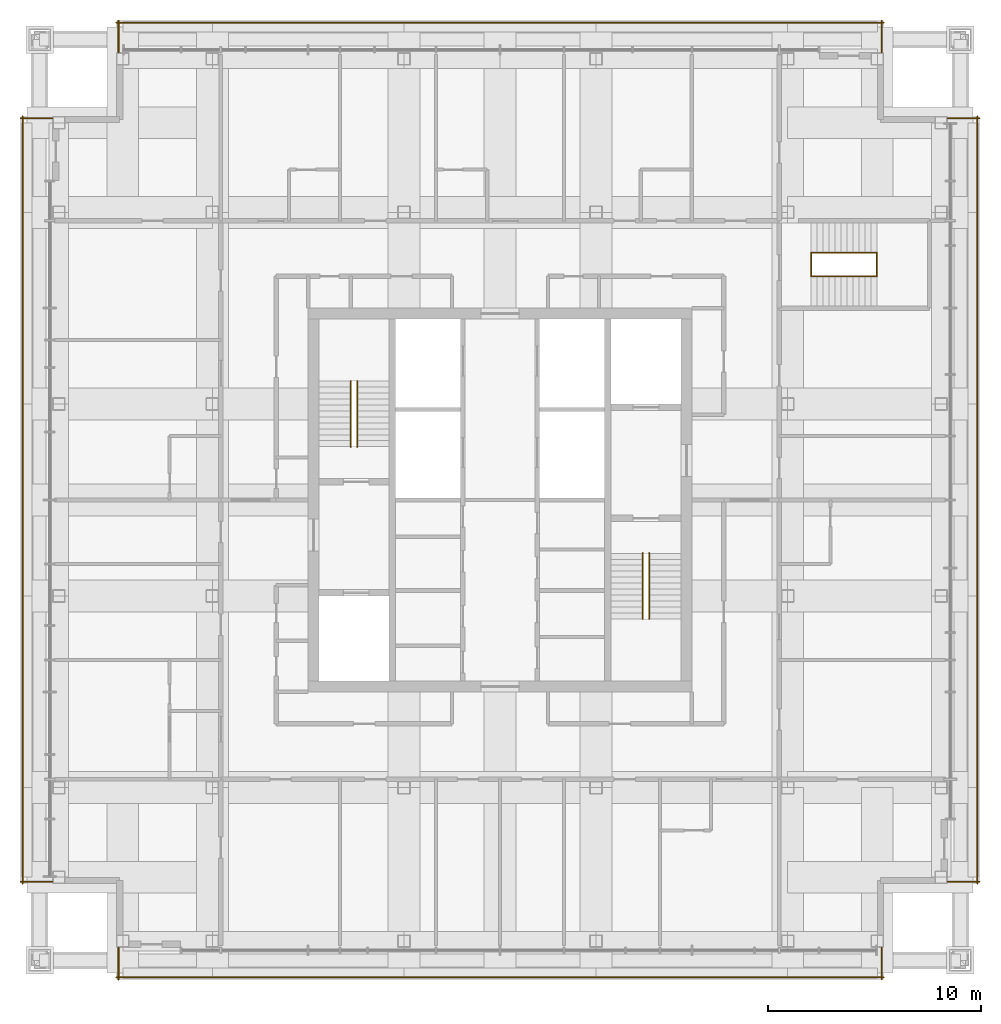
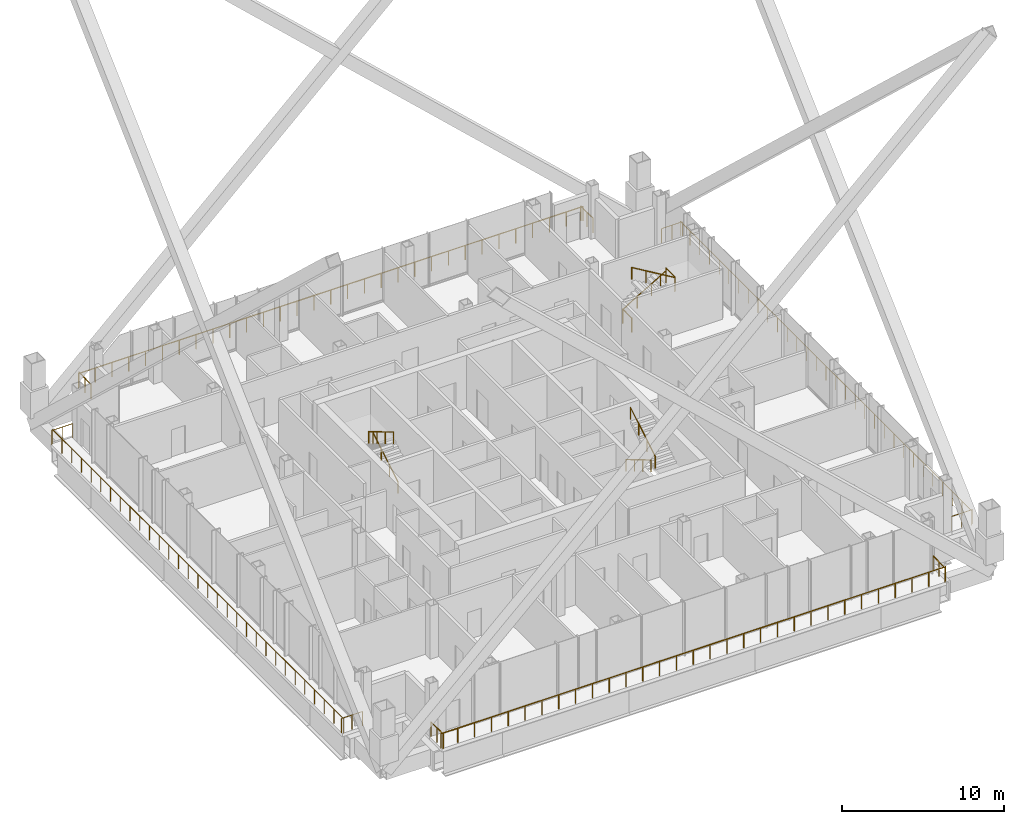
# One storey, part 17 of 19: 20 railings.
"""IFC4 building model written with IfcOpenShell, lengths in metres."""

from ifc_helpers import new_model, si_unit, direction, frame, origin, origin_2d, place, context, subcontext, project, spatial, circle, extrude, material, type_object, element, save


model = new_model("IFC4")

# Units and contexts
model_context = context("Model", 3, precision=1e-05, world=origin(), true_north=direction((0.0, 1.0)))
body_context = subcontext(model_context, "Body", "Model", "MODEL_VIEW")
ifc_project = project(units=[si_unit("LENGTHUNIT", "METRE"), si_unit("AREAUNIT", "SQUARE_METRE"), si_unit("VOLUMEUNIT", "CUBIC_METRE"), si_unit("PLANEANGLEUNIT", "RADIAN"), si_unit("MASSUNIT", "GRAM", prefix="KILO")], contexts=[model_context])

# Site, building, storey
site_placement = place(None, origin())
site = spatial("IfcSite", under=ifc_project, at=site_placement, CompositionType="ELEMENT")
building_placement = place(site_placement, origin())
building = spatial("IfcBuilding", under=site, at=building_placement, Name="Malebo Sky Hospital", CompositionType="ELEMENT")
storey_placement = place(building_placement, frame((0.0, 0.0, 250.0)))
storey = spatial("IfcBuildingStorey", under=building, at=storey_placement, Name="L60", CompositionType="ELEMENT", Elevation=250.0)

# Railings
ifc_material_1 = material(Name="Anodised aluminium, natural silver posts with stainless steel infill", Category="steel")
railing_type_1 = type_object("IfcRailingType", Name="ROOF EDGE GUARD 1100", PredefinedType="GUARDRAIL", material=ifc_material_1)
railing_1_placement = place(storey_placement, frame((42.10009765625, 41.0, 0.0)))
element("IfcRailing", 1, at=railing_1_placement, inside=storey, type_object=railing_type_1, Name="Maintenance roof edge guard 1 L60", PredefinedType="GUARDRAIL", context=body_context, shape_type="SweptSolid", body=[
    extrude(circle(Radius=0.02392578125, at=origin_2d()), frame((0.0, 0.0, 1.076171875), z_axis=(0.0, -1.0, 0.0), x_axis=(1.0, 0.0, 0.0)), (0.0, 0.0, 1.0), 1.5),
    extrude(circle(Radius=0.02099609375, at=origin_2d()), origin(), (0.0, 0.0, 1.0), 1.052001953125),
    extrude(circle(Radius=0.02099609375, at=origin_2d()), frame((0.0, -0.75, 0.0)), (0.0, 0.0, 1.0), 1.052001953125),
    extrude(circle(Radius=0.02099609375, at=origin_2d()), frame((0.0, -1.5, 0.0)), (0.0, 0.0, 1.0), 1.052001953125),
])
railing_2_placement = place(storey_placement, frame((42.0, 39.60009765625, 0.0)))
element("IfcRailing", 2, at=railing_2_placement, inside=storey, type_object=railing_type_1, Name="Maintenance roof edge guard 2 L60", PredefinedType="GUARDRAIL", context=body_context, shape_type="SweptSolid", body=[
    extrude(circle(Radius=0.02392578125, at=origin_2d()), frame((0.0, 0.0, 1.076171875), z_axis=(1.0, 0.0, 0.0), x_axis=(0.0, 1.0, 0.0)), (0.0, 0.0, 1.0), 36.0),
    extrude(circle(Radius=0.02099609375, at=origin_2d()), origin(), (0.0, 0.0, 1.0), 1.052001953125),
    extrude(circle(Radius=0.02099609375, at=origin_2d()), frame((1.199951171875, 0.0, 0.0)), (0.0, 0.0, 1.0), 1.052001953125),
    extrude(circle(Radius=0.02099609375, at=origin_2d()), frame((2.39990234375, 0.0, 0.0)), (0.0, 0.0, 1.0), 1.052001953125),
    extrude(circle(Radius=0.02099609375, at=origin_2d()), frame((3.60009765625, 0.0, 0.0)), (0.0, 0.0, 1.0), 1.052001953125),
    extrude(circle(Radius=0.02099609375, at=origin_2d()), frame((4.800048828125, 0.0, 0.0)), (0.0, 0.0, 1.0), 1.052001953125),
    extrude(circle(Radius=0.02099609375, at=origin_2d()), frame((6.0, 0.0, 0.0)), (0.0, 0.0, 1.0), 1.052001953125),
    extrude(circle(Radius=0.02099609375, at=origin_2d()), frame((7.199951171875, 0.0, 0.0)), (0.0, 0.0, 1.0), 1.052001953125),
    extrude(circle(Radius=0.02099609375, at=origin_2d()), frame((8.39990234375, 0.0, 0.0)), (0.0, 0.0, 1.0), 1.052001953125),
    extrude(circle(Radius=0.02099609375, at=origin_2d()), frame((9.60009765625, 0.0, 0.0)), (0.0, 0.0, 1.0), 1.052001953125),
    extrude(circle(Radius=0.02099609375, at=origin_2d()), frame((10.800048828125, 0.0, 0.0)), (0.0, 0.0, 1.0), 1.052001953125),
    extrude(circle(Radius=0.02099609375, at=origin_2d()), frame((12.0, 0.0, 0.0)), (0.0, 0.0, 1.0), 1.052001953125),
    extrude(circle(Radius=0.02099609375, at=origin_2d()), frame((13.199951171875, 0.0, 0.0)), (0.0, 0.0, 1.0), 1.052001953125),
    extrude(circle(Radius=0.02099609375, at=origin_2d()), frame((14.39990234375, 0.0, 0.0)), (0.0, 0.0, 1.0), 1.052001953125),
    extrude(circle(Radius=0.02099609375, at=origin_2d()), frame((15.60009765625, 0.0, 0.0)), (0.0, 0.0, 1.0), 1.052001953125),
    extrude(circle(Radius=0.02099609375, at=origin_2d()), frame((16.800048828125, 0.0, 0.0)), (0.0, 0.0, 1.0), 1.052001953125),
    extrude(circle(Radius=0.02099609375, at=origin_2d()), frame((18.0, 0.0, 0.0)), (0.0, 0.0, 1.0), 1.052001953125),
    extrude(circle(Radius=0.02099609375, at=origin_2d()), frame((19.199951171875, 0.0, 0.0)), (0.0, 0.0, 1.0), 1.052001953125),
    extrude(circle(Radius=0.02099609375, at=origin_2d()), frame((20.39990234375, 0.0, 0.0)), (0.0, 0.0, 1.0), 1.052001953125),
    extrude(circle(Radius=0.02099609375, at=origin_2d()), frame((21.60009765625, 0.0, 0.0)), (0.0, 0.0, 1.0), 1.052001953125),
    extrude(circle(Radius=0.02099609375, at=origin_2d()), frame((22.800048828125, 0.0, 0.0)), (0.0, 0.0, 1.0), 1.052001953125),
    extrude(circle(Radius=0.02099609375, at=origin_2d()), frame((24.0, 0.0, 0.0)), (0.0, 0.0, 1.0), 1.052001953125),
    extrude(circle(Radius=0.02099609375, at=origin_2d()), frame((25.199951171875, 0.0, 0.0)), (0.0, 0.0, 1.0), 1.052001953125),
    extrude(circle(Radius=0.02099609375, at=origin_2d()), frame((26.39990234375, 0.0, 0.0)), (0.0, 0.0, 1.0), 1.052001953125),
    extrude(circle(Radius=0.02099609375, at=origin_2d()), frame((27.60009765625, 0.0, 0.0)), (0.0, 0.0, 1.0), 1.052001953125),
    extrude(circle(Radius=0.02099609375, at=origin_2d()), frame((28.800048828125, 0.0, 0.0)), (0.0, 0.0, 1.0), 1.052001953125),
    extrude(circle(Radius=0.02099609375, at=origin_2d()), frame((30.0, 0.0, 0.0)), (0.0, 0.0, 1.0), 1.052001953125),
    extrude(circle(Radius=0.02099609375, at=origin_2d()), frame((31.199951171875, 0.0, 0.0)), (0.0, 0.0, 1.0), 1.052001953125),
    extrude(circle(Radius=0.02099609375, at=origin_2d()), frame((32.39990234375, 0.0, 0.0)), (0.0, 0.0, 1.0), 1.052001953125),
    extrude(circle(Radius=0.02099609375, at=origin_2d()), frame((33.60009765625, 0.0, 0.0)), (0.0, 0.0, 1.0), 1.052001953125),
    extrude(circle(Radius=0.02099609375, at=origin_2d()), frame((34.800048828125, 0.0, 0.0)), (0.0, 0.0, 1.0), 1.052001953125),
    extrude(circle(Radius=0.02099609375, at=origin_2d()), frame((36.0, 0.0, 0.0)), (0.0, 0.0, 1.0), 1.052001953125),
])
railing_3_placement = place(storey_placement, frame((77.89990234375, 39.5, 0.0)))
element("IfcRailing", 3, at=railing_3_placement, inside=storey, type_object=railing_type_1, Name="Maintenance roof edge guard 3 L60", PredefinedType="GUARDRAIL", context=body_context, shape_type="SweptSolid", body=[
    extrude(circle(Radius=0.02392578125, at=origin_2d()), frame((0.0, 0.0, 1.076171875), z_axis=(0.0, 1.0, 0.0), x_axis=(-1.0, 0.0, 0.0)), (0.0, 0.0, 1.0), 1.5),
    extrude(circle(Radius=0.02099609375, at=origin_2d()), origin(), (0.0, 0.0, 1.0), 1.052001953125),
    extrude(circle(Radius=0.02099609375, at=origin_2d()), frame((0.0, 0.75, 0.0)), (0.0, 0.0, 1.0), 1.052001953125),
    extrude(circle(Radius=0.02099609375, at=origin_2d()), frame((0.0, 1.5, 0.0)), (0.0, 0.0, 1.0), 1.052001953125),
])
railing_4_placement = place(storey_placement, frame((39.0, 79.89990234375, 0.0)))
element("IfcRailing", 4, at=railing_4_placement, inside=storey, type_object=railing_type_1, Name="Maintenance roof edge guard 4 L60", PredefinedType="GUARDRAIL", context=body_context, shape_type="SweptSolid", body=[
    extrude(circle(Radius=0.02392578125, at=origin_2d()), frame((0.0, 0.0, 1.076171875), z_axis=(-1.0, 0.0, 0.0), x_axis=(0.0, -1.0, 0.0)), (0.0, 0.0, 1.0), 1.5),
    extrude(circle(Radius=0.02099609375, at=origin_2d()), origin(), (0.0, 0.0, 1.0), 1.052001953125),
    extrude(circle(Radius=0.02099609375, at=origin_2d()), frame((-0.75, 0.0, 0.0)), (0.0, 0.0, 1.0), 1.052001953125),
    extrude(circle(Radius=0.02099609375, at=origin_2d()), frame((-1.5, 0.0, 0.0)), (0.0, 0.0, 1.0), 1.052001953125),
])
railing_5_placement = place(storey_placement, frame((37.60009765625, 80.0, 0.0)))
element("IfcRailing", 5, at=railing_5_placement, inside=storey, type_object=railing_type_1, Name="Maintenance roof edge guard 5 L60", PredefinedType="GUARDRAIL", context=body_context, shape_type="SweptSolid", body=[
    extrude(circle(Radius=0.02392578125, at=origin_2d()), frame((0.0, 0.0, 1.076171875), z_axis=(0.0, -1.0, 0.0), x_axis=(1.0, 0.0, 0.0)), (0.0, 0.0, 1.0), 36.0),
    extrude(circle(Radius=0.02099609375, at=origin_2d()), origin(), (0.0, 0.0, 1.0), 1.052001953125),
    extrude(circle(Radius=0.02099609375, at=origin_2d()), frame((0.0, -1.199951171875, 0.0)), (0.0, 0.0, 1.0), 1.052001953125),
    extrude(circle(Radius=0.02099609375, at=origin_2d()), frame((0.0, -2.39990234375, 0.0)), (0.0, 0.0, 1.0), 1.052001953125),
    extrude(circle(Radius=0.02099609375, at=origin_2d()), frame((0.0, -3.60009765625, 0.0)), (0.0, 0.0, 1.0), 1.052001953125),
    extrude(circle(Radius=0.02099609375, at=origin_2d()), frame((0.0, -4.800048828125, 0.0)), (0.0, 0.0, 1.0), 1.052001953125),
    extrude(circle(Radius=0.02099609375, at=origin_2d()), frame((0.0, -6.0, 0.0)), (0.0, 0.0, 1.0), 1.052001953125),
    extrude(circle(Radius=0.02099609375, at=origin_2d()), frame((0.0, -7.199951171875, 0.0)), (0.0, 0.0, 1.0), 1.052001953125),
    extrude(circle(Radius=0.02099609375, at=origin_2d()), frame((0.0, -8.39990234375, 0.0)), (0.0, 0.0, 1.0), 1.052001953125),
    extrude(circle(Radius=0.02099609375, at=origin_2d()), frame((0.0, -9.60009765625, 0.0)), (0.0, 0.0, 1.0), 1.052001953125),
    extrude(circle(Radius=0.02099609375, at=origin_2d()), frame((0.0, -10.800048828125, 0.0)), (0.0, 0.0, 1.0), 1.052001953125),
    extrude(circle(Radius=0.02099609375, at=origin_2d()), frame((0.0, -12.0, 0.0)), (0.0, 0.0, 1.0), 1.052001953125),
    extrude(circle(Radius=0.02099609375, at=origin_2d()), frame((0.0, -13.199951171875, 0.0)), (0.0, 0.0, 1.0), 1.052001953125),
    extrude(circle(Radius=0.02099609375, at=origin_2d()), frame((0.0, -14.39990234375, 0.0)), (0.0, 0.0, 1.0), 1.052001953125),
    extrude(circle(Radius=0.02099609375, at=origin_2d()), frame((0.0, -15.60009765625, 0.0)), (0.0, 0.0, 1.0), 1.052001953125),
    extrude(circle(Radius=0.02099609375, at=origin_2d()), frame((0.0, -16.800048828125, 0.0)), (0.0, 0.0, 1.0), 1.052001953125),
    extrude(circle(Radius=0.02099609375, at=origin_2d()), frame((0.0, -18.0, 0.0)), (0.0, 0.0, 1.0), 1.052001953125),
    extrude(circle(Radius=0.02099609375, at=origin_2d()), frame((0.0, -19.199951171875, 0.0)), (0.0, 0.0, 1.0), 1.052001953125),
    extrude(circle(Radius=0.02099609375, at=origin_2d()), frame((0.0, -20.39990234375, 0.0)), (0.0, 0.0, 1.0), 1.052001953125),
    extrude(circle(Radius=0.02099609375, at=origin_2d()), frame((0.0, -21.60009765625, 0.0)), (0.0, 0.0, 1.0), 1.052001953125),
    extrude(circle(Radius=0.02099609375, at=origin_2d()), frame((0.0, -22.800048828125, 0.0)), (0.0, 0.0, 1.0), 1.052001953125),
    extrude(circle(Radius=0.02099609375, at=origin_2d()), frame((0.0, -24.0, 0.0)), (0.0, 0.0, 1.0), 1.052001953125),
    extrude(circle(Radius=0.02099609375, at=origin_2d()), frame((0.0, -25.199951171875, 0.0)), (0.0, 0.0, 1.0), 1.052001953125),
    extrude(circle(Radius=0.02099609375, at=origin_2d()), frame((0.0, -26.39990234375, 0.0)), (0.0, 0.0, 1.0), 1.052001953125),
    extrude(circle(Radius=0.02099609375, at=origin_2d()), frame((0.0, -27.60009765625, 0.0)), (0.0, 0.0, 1.0), 1.052001953125),
    extrude(circle(Radius=0.02099609375, at=origin_2d()), frame((0.0, -28.800048828125, 0.0)), (0.0, 0.0, 1.0), 1.052001953125),
    extrude(circle(Radius=0.02099609375, at=origin_2d()), frame((0.0, -30.0, 0.0)), (0.0, 0.0, 1.0), 1.052001953125),
    extrude(circle(Radius=0.02099609375, at=origin_2d()), frame((0.0, -31.199951171875, 0.0)), (0.0, 0.0, 1.0), 1.052001953125),
    extrude(circle(Radius=0.02099609375, at=origin_2d()), frame((0.0, -32.39990234375, 0.0)), (0.0, 0.0, 1.0), 1.052001953125),
    extrude(circle(Radius=0.02099609375, at=origin_2d()), frame((0.0, -33.60009765625, 0.0)), (0.0, 0.0, 1.0), 1.052001953125),
    extrude(circle(Radius=0.02099609375, at=origin_2d()), frame((0.0, -34.800048828125, 0.0)), (0.0, 0.0, 1.0), 1.052001953125),
    extrude(circle(Radius=0.02099609375, at=origin_2d()), frame((0.0, -36.0, 0.0)), (0.0, 0.0, 1.0), 1.052001953125),
])
for number, where, name in (
    (6, (37.5, 44.10009765625, 0.0), "Maintenance roof edge guard 6 L60"),
    (7, (81.0, 44.10009765625, 0.0), "Maintenance roof edge guard 7 L60"),
):
    element("IfcRailing", number, at=place(storey_placement, frame(where)), inside=storey, type_object=railing_type_1, Name=name, PredefinedType="GUARDRAIL", context=body_context, shape_type="SweptSolid", body=[
        extrude(circle(Radius=0.02392578125, at=origin_2d()), frame((0.0, 0.0, 1.076171875), z_axis=(1.0, 0.0, 0.0), x_axis=(0.0, 1.0, 0.0)), (0.0, 0.0, 1.0), 1.5),
        extrude(circle(Radius=0.02099609375, at=origin_2d()), origin(), (0.0, 0.0, 1.0), 1.052001953125),
        extrude(circle(Radius=0.02099609375, at=origin_2d()), frame((0.75, 0.0, 0.0)), (0.0, 0.0, 1.0), 1.052001953125),
        extrude(circle(Radius=0.02099609375, at=origin_2d()), frame((1.5, 0.0, 0.0)), (0.0, 0.0, 1.0), 1.052001953125),
    ])
railing_6_placement = place(storey_placement, frame((82.39990234375, 44.0, 0.0)))
element("IfcRailing", 8, at=railing_6_placement, inside=storey, type_object=railing_type_1, Name="Maintenance roof edge guard 8 L60", PredefinedType="GUARDRAIL", context=body_context, shape_type="SweptSolid", body=[
    extrude(circle(Radius=0.02392578125, at=origin_2d()), frame((0.0, 0.0, 1.076171875), z_axis=(0.0, 1.0, 0.0), x_axis=(-1.0, 0.0, 0.0)), (0.0, 0.0, 1.0), 36.0),
    extrude(circle(Radius=0.02099609375, at=origin_2d()), origin(), (0.0, 0.0, 1.0), 1.052001953125),
    extrude(circle(Radius=0.02099609375, at=origin_2d()), frame((0.0, 1.199951171875, 0.0)), (0.0, 0.0, 1.0), 1.052001953125),
    extrude(circle(Radius=0.02099609375, at=origin_2d()), frame((0.0, 2.39990234375, 0.0)), (0.0, 0.0, 1.0), 1.052001953125),
    extrude(circle(Radius=0.02099609375, at=origin_2d()), frame((0.0, 3.60009765625, 0.0)), (0.0, 0.0, 1.0), 1.052001953125),
    extrude(circle(Radius=0.02099609375, at=origin_2d()), frame((0.0, 4.800048828125, 0.0)), (0.0, 0.0, 1.0), 1.052001953125),
    extrude(circle(Radius=0.02099609375, at=origin_2d()), frame((0.0, 6.0, 0.0)), (0.0, 0.0, 1.0), 1.052001953125),
    extrude(circle(Radius=0.02099609375, at=origin_2d()), frame((0.0, 7.199951171875, 0.0)), (0.0, 0.0, 1.0), 1.052001953125),
    extrude(circle(Radius=0.02099609375, at=origin_2d()), frame((0.0, 8.39990234375, 0.0)), (0.0, 0.0, 1.0), 1.052001953125),
    extrude(circle(Radius=0.02099609375, at=origin_2d()), frame((0.0, 9.60009765625, 0.0)), (0.0, 0.0, 1.0), 1.052001953125),
    extrude(circle(Radius=0.02099609375, at=origin_2d()), frame((0.0, 10.800048828125, 0.0)), (0.0, 0.0, 1.0), 1.052001953125),
    extrude(circle(Radius=0.02099609375, at=origin_2d()), frame((0.0, 12.0, 0.0)), (0.0, 0.0, 1.0), 1.052001953125),
    extrude(circle(Radius=0.02099609375, at=origin_2d()), frame((0.0, 13.199951171875, 0.0)), (0.0, 0.0, 1.0), 1.052001953125),
    extrude(circle(Radius=0.02099609375, at=origin_2d()), frame((0.0, 14.39990234375, 0.0)), (0.0, 0.0, 1.0), 1.052001953125),
    extrude(circle(Radius=0.02099609375, at=origin_2d()), frame((0.0, 15.60009765625, 0.0)), (0.0, 0.0, 1.0), 1.052001953125),
    extrude(circle(Radius=0.02099609375, at=origin_2d()), frame((0.0, 16.800048828125, 0.0)), (0.0, 0.0, 1.0), 1.052001953125),
    extrude(circle(Radius=0.02099609375, at=origin_2d()), frame((0.0, 18.0, 0.0)), (0.0, 0.0, 1.0), 1.052001953125),
    extrude(circle(Radius=0.02099609375, at=origin_2d()), frame((0.0, 19.199951171875, 0.0)), (0.0, 0.0, 1.0), 1.052001953125),
    extrude(circle(Radius=0.02099609375, at=origin_2d()), frame((0.0, 20.39990234375, 0.0)), (0.0, 0.0, 1.0), 1.052001953125),
    extrude(circle(Radius=0.02099609375, at=origin_2d()), frame((0.0, 21.60009765625, 0.0)), (0.0, 0.0, 1.0), 1.052001953125),
    extrude(circle(Radius=0.02099609375, at=origin_2d()), frame((0.0, 22.800048828125, 0.0)), (0.0, 0.0, 1.0), 1.052001953125),
    extrude(circle(Radius=0.02099609375, at=origin_2d()), frame((0.0, 24.0, 0.0)), (0.0, 0.0, 1.0), 1.052001953125),
    extrude(circle(Radius=0.02099609375, at=origin_2d()), frame((0.0, 25.199951171875, 0.0)), (0.0, 0.0, 1.0), 1.052001953125),
    extrude(circle(Radius=0.02099609375, at=origin_2d()), frame((0.0, 26.39990234375, 0.0)), (0.0, 0.0, 1.0), 1.052001953125),
    extrude(circle(Radius=0.02099609375, at=origin_2d()), frame((0.0, 27.60009765625, 0.0)), (0.0, 0.0, 1.0), 1.052001953125),
    extrude(circle(Radius=0.02099609375, at=origin_2d()), frame((0.0, 28.800048828125, 0.0)), (0.0, 0.0, 1.0), 1.052001953125),
    extrude(circle(Radius=0.02099609375, at=origin_2d()), frame((0.0, 30.0, 0.0)), (0.0, 0.0, 1.0), 1.052001953125),
    extrude(circle(Radius=0.02099609375, at=origin_2d()), frame((0.0, 31.199951171875, 0.0)), (0.0, 0.0, 1.0), 1.052001953125),
    extrude(circle(Radius=0.02099609375, at=origin_2d()), frame((0.0, 32.39990234375, 0.0)), (0.0, 0.0, 1.0), 1.052001953125),
    extrude(circle(Radius=0.02099609375, at=origin_2d()), frame((0.0, 33.60009765625, 0.0)), (0.0, 0.0, 1.0), 1.052001953125),
    extrude(circle(Radius=0.02099609375, at=origin_2d()), frame((0.0, 34.800048828125, 0.0)), (0.0, 0.0, 1.0), 1.052001953125),
    extrude(circle(Radius=0.02099609375, at=origin_2d()), frame((0.0, 36.0, 0.0)), (0.0, 0.0, 1.0), 1.052001953125),
])
railing_7_placement = place(storey_placement, frame((82.5, 79.89990234375, 0.0)))
element("IfcRailing", 9, at=railing_7_placement, inside=storey, type_object=railing_type_1, Name="Maintenance roof edge guard 9 L60", PredefinedType="GUARDRAIL", context=body_context, shape_type="SweptSolid", body=[
    extrude(circle(Radius=0.02392578125, at=origin_2d()), frame((0.0, 0.0, 1.076171875), z_axis=(-1.0, 0.0, 0.0), x_axis=(0.0, -1.0, 0.0)), (0.0, 0.0, 1.0), 1.5),
    extrude(circle(Radius=0.02099609375, at=origin_2d()), origin(), (0.0, 0.0, 1.0), 1.052001953125),
    extrude(circle(Radius=0.02099609375, at=origin_2d()), frame((-0.75, 0.0, 0.0)), (0.0, 0.0, 1.0), 1.052001953125),
    extrude(circle(Radius=0.02099609375, at=origin_2d()), frame((-1.5, 0.0, 0.0)), (0.0, 0.0, 1.0), 1.052001953125),
])
railing_8_placement = place(storey_placement, frame((77.89990234375, 83.0, 0.0)))
element("IfcRailing", 10, at=railing_8_placement, inside=storey, type_object=railing_type_1, Name="Maintenance roof edge guard 10 L60", PredefinedType="GUARDRAIL", context=body_context, shape_type="SweptSolid", body=[
    extrude(circle(Radius=0.02392578125, at=origin_2d()), frame((0.0, 0.0, 1.076171875), z_axis=(0.0, 1.0, 0.0), x_axis=(-1.0, 0.0, 0.0)), (0.0, 0.0, 1.0), 1.5),
    extrude(circle(Radius=0.02099609375, at=origin_2d()), origin(), (0.0, 0.0, 1.0), 1.052001953125),
    extrude(circle(Radius=0.02099609375, at=origin_2d()), frame((0.0, 0.75, 0.0)), (0.0, 0.0, 1.0), 1.052001953125),
    extrude(circle(Radius=0.02099609375, at=origin_2d()), frame((0.0, 1.5, 0.0)), (0.0, 0.0, 1.0), 1.052001953125),
])
railing_9_placement = place(storey_placement, frame((78.0, 84.39990234375, 0.0)))
element("IfcRailing", 11, at=railing_9_placement, inside=storey, type_object=railing_type_1, Name="Maintenance roof edge guard 11 L60", PredefinedType="GUARDRAIL", context=body_context, shape_type="SweptSolid", body=[
    extrude(circle(Radius=0.02392578125, at=origin_2d()), frame((0.0, 0.0, 1.076171875), z_axis=(-1.0, 0.0, 0.0), x_axis=(0.0, -1.0, 0.0)), (0.0, 0.0, 1.0), 36.0),
    extrude(circle(Radius=0.02099609375, at=origin_2d()), origin(), (0.0, 0.0, 1.0), 1.052001953125),
    extrude(circle(Radius=0.02099609375, at=origin_2d()), frame((-1.199951171875, 0.0, 0.0)), (0.0, 0.0, 1.0), 1.052001953125),
    extrude(circle(Radius=0.02099609375, at=origin_2d()), frame((-2.39990234375, 0.0, 0.0)), (0.0, 0.0, 1.0), 1.052001953125),
    extrude(circle(Radius=0.02099609375, at=origin_2d()), frame((-3.60009765625, 0.0, 0.0)), (0.0, 0.0, 1.0), 1.052001953125),
    extrude(circle(Radius=0.02099609375, at=origin_2d()), frame((-4.800048828125, 0.0, 0.0)), (0.0, 0.0, 1.0), 1.052001953125),
    extrude(circle(Radius=0.02099609375, at=origin_2d()), frame((-6.0, 0.0, 0.0)), (0.0, 0.0, 1.0), 1.052001953125),
    extrude(circle(Radius=0.02099609375, at=origin_2d()), frame((-7.199951171875, 0.0, 0.0)), (0.0, 0.0, 1.0), 1.052001953125),
    extrude(circle(Radius=0.02099609375, at=origin_2d()), frame((-8.39990234375, 0.0, 0.0)), (0.0, 0.0, 1.0), 1.052001953125),
    extrude(circle(Radius=0.02099609375, at=origin_2d()), frame((-9.60009765625, 0.0, 0.0)), (0.0, 0.0, 1.0), 1.052001953125),
    extrude(circle(Radius=0.02099609375, at=origin_2d()), frame((-10.800048828125, 0.0, 0.0)), (0.0, 0.0, 1.0), 1.052001953125),
    extrude(circle(Radius=0.02099609375, at=origin_2d()), frame((-12.0, 0.0, 0.0)), (0.0, 0.0, 1.0), 1.052001953125),
    extrude(circle(Radius=0.02099609375, at=origin_2d()), frame((-13.199951171875, 0.0, 0.0)), (0.0, 0.0, 1.0), 1.052001953125),
    extrude(circle(Radius=0.02099609375, at=origin_2d()), frame((-14.39990234375, 0.0, 0.0)), (0.0, 0.0, 1.0), 1.052001953125),
    extrude(circle(Radius=0.02099609375, at=origin_2d()), frame((-15.60009765625, 0.0, 0.0)), (0.0, 0.0, 1.0), 1.052001953125),
    extrude(circle(Radius=0.02099609375, at=origin_2d()), frame((-16.800048828125, 0.0, 0.0)), (0.0, 0.0, 1.0), 1.052001953125),
    extrude(circle(Radius=0.02099609375, at=origin_2d()), frame((-18.0, 0.0, 0.0)), (0.0, 0.0, 1.0), 1.052001953125),
    extrude(circle(Radius=0.02099609375, at=origin_2d()), frame((-19.199951171875, 0.0, 0.0)), (0.0, 0.0, 1.0), 1.052001953125),
    extrude(circle(Radius=0.02099609375, at=origin_2d()), frame((-20.39990234375, 0.0, 0.0)), (0.0, 0.0, 1.0), 1.052001953125),
    extrude(circle(Radius=0.02099609375, at=origin_2d()), frame((-21.60009765625, 0.0, 0.0)), (0.0, 0.0, 1.0), 1.052001953125),
    extrude(circle(Radius=0.02099609375, at=origin_2d()), frame((-22.800048828125, 0.0, 0.0)), (0.0, 0.0, 1.0), 1.052001953125),
    extrude(circle(Radius=0.02099609375, at=origin_2d()), frame((-24.0, 0.0, 0.0)), (0.0, 0.0, 1.0), 1.052001953125),
    extrude(circle(Radius=0.02099609375, at=origin_2d()), frame((-25.199951171875, 0.0, 0.0)), (0.0, 0.0, 1.0), 1.052001953125),
    extrude(circle(Radius=0.02099609375, at=origin_2d()), frame((-26.39990234375, 0.0, 0.0)), (0.0, 0.0, 1.0), 1.052001953125),
    extrude(circle(Radius=0.02099609375, at=origin_2d()), frame((-27.60009765625, 0.0, 0.0)), (0.0, 0.0, 1.0), 1.052001953125),
    extrude(circle(Radius=0.02099609375, at=origin_2d()), frame((-28.800048828125, 0.0, 0.0)), (0.0, 0.0, 1.0), 1.052001953125),
    extrude(circle(Radius=0.02099609375, at=origin_2d()), frame((-30.0, 0.0, 0.0)), (0.0, 0.0, 1.0), 1.052001953125),
    extrude(circle(Radius=0.02099609375, at=origin_2d()), frame((-31.199951171875, 0.0, 0.0)), (0.0, 0.0, 1.0), 1.052001953125),
    extrude(circle(Radius=0.02099609375, at=origin_2d()), frame((-32.39990234375, 0.0, 0.0)), (0.0, 0.0, 1.0), 1.052001953125),
    extrude(circle(Radius=0.02099609375, at=origin_2d()), frame((-33.60009765625, 0.0, 0.0)), (0.0, 0.0, 1.0), 1.052001953125),
    extrude(circle(Radius=0.02099609375, at=origin_2d()), frame((-34.800048828125, 0.0, 0.0)), (0.0, 0.0, 1.0), 1.052001953125),
    extrude(circle(Radius=0.02099609375, at=origin_2d()), frame((-36.0, 0.0, 0.0)), (0.0, 0.0, 1.0), 1.052001953125),
])
railing_10_placement = place(storey_placement, frame((42.10009765625, 84.5, 0.0)))
element("IfcRailing", 12, at=railing_10_placement, inside=storey, type_object=railing_type_1, Name="Maintenance roof edge guard 12 L60", PredefinedType="GUARDRAIL", context=body_context, shape_type="SweptSolid", body=[
    extrude(circle(Radius=0.02392578125, at=origin_2d()), frame((0.0, 0.0, 1.076171875), z_axis=(0.0, -1.0, 0.0), x_axis=(1.0, 0.0, 0.0)), (0.0, 0.0, 1.0), 1.5),
    extrude(circle(Radius=0.02099609375, at=origin_2d()), origin(), (0.0, 0.0, 1.0), 1.052001953125),
    extrude(circle(Radius=0.02099609375, at=origin_2d()), frame((0.0, -0.75, 0.0)), (0.0, 0.0, 1.0), 1.052001953125),
    extrude(circle(Radius=0.02099609375, at=origin_2d()), frame((0.0, -1.5, 0.0)), (0.0, 0.0, 1.0), 1.052001953125),
])
ifc_material_2 = material(Name="Stainless steel balustrade", Category="steel")
railing_type_2 = type_object("IfcRailingType", Name="STAIR GUARD 1100", PredefinedType="GUARDRAIL", material=ifc_material_2)
for number, where, name in (
    (13, (74.60009765625, 72.5, 0.0), "Stair guard S3 floor landing"),
    (14, (77.679931640625, 72.5, 2.0), "Stair guard S3 mid landing"),
):
    element("IfcRailing", number, at=place(storey_placement, frame(where)), inside=storey, type_object=railing_type_2, Name=name, PredefinedType="GUARDRAIL", context=body_context, shape_type="SweptSolid", body=[
        extrude(circle(Radius=0.02392578125, at=origin_2d()), frame((0.0, 0.0, 1.076171875), z_axis=(0.0, 1.0, 0.0), x_axis=(-1.0, 0.0, 0.0)), (0.0, 0.0, 1.0), 1.10009765625),
        extrude(circle(Radius=0.02099609375, at=origin_2d()), origin(), (0.0, 0.0, 1.0), 1.052001953125),
        extrude(circle(Radius=0.02099609375, at=origin_2d()), frame((0.0, 1.10009765625, 0.0)), (0.0, 0.0, 1.0), 1.052001953125),
    ])
ifc_material_3 = material(Name="Stainless steel tube", Category="steel")
railing_type_3 = type_object("IfcRailingType", Name="STAIR HANDRAIL 900", PredefinedType="HANDRAIL", material=ifc_material_3)
railing_11_placement = place(storey_placement, frame((53.300048828125, 64.5, 0.166748046875)))
element("IfcRailing", 15, at=railing_11_placement, inside=storey, type_object=railing_type_3, Name="Stair handrail S1 flight 1", PredefinedType="HANDRAIL", context=body_context, shape_type="SweptSolid", body=[
    extrude(circle(Radius=0.02392578125, at=origin_2d()), frame((0.0, 0.0, 0.8759765625), z_axis=(0.0, 0.859308565015, 0.511457515432), x_axis=(-1.0, 0.0, 0.0)), (0.0, 0.0, 1.0), 3.58447265625),
    extrude(circle(Radius=0.02099609375, at=origin_2d()), origin(), (0.0, 0.0, 1.0), 0.851806640625),
    extrude(circle(Radius=0.02099609375, at=origin_2d()), frame((0.0, 1.026611328125, 0.611083984375)), (0.0, 0.0, 1.0), 0.851806640625),
    extrude(circle(Radius=0.02099609375, at=origin_2d()), frame((0.0, 2.053466796875, 1.22216796875)), (0.0, 0.0, 1.0), 0.851806640625),
    extrude(circle(Radius=0.02099609375, at=origin_2d()), frame((0.0, 3.080078125, 1.833251953125)), (0.0, 0.0, 1.0), 0.851806640625),
])
for number, where, name in (
    (16, (53.0, 67.580078125, 2.166748046875), "Stair handrail S1 flight 2"),
    (17, (66.699951171875, 59.5, 0.166748046875), "Stair handrail S2 flight 1"),
):
    element("IfcRailing", number, at=place(storey_placement, frame(where)), inside=storey, type_object=railing_type_3, Name=name, PredefinedType="HANDRAIL", context=body_context, shape_type="SweptSolid", body=[
        extrude(circle(Radius=0.02392578125, at=origin_2d()), frame((0.0, 0.0, 0.8759765625), z_axis=(0.0, -0.859308565015, 0.511457515432), x_axis=(1.0, 0.0, 0.0)), (0.0, 0.0, 1.0), 3.58447265625),
        extrude(circle(Radius=0.02099609375, at=origin_2d()), origin(), (0.0, 0.0, 1.0), 0.851806640625),
        extrude(circle(Radius=0.02099609375, at=origin_2d()), frame((0.0, -1.026611328125, 0.611083984375)), (0.0, 0.0, 1.0), 0.851806640625),
        extrude(circle(Radius=0.02099609375, at=origin_2d()), frame((0.0, -2.053466796875, 1.22216796875)), (0.0, 0.0, 1.0), 0.851806640625),
        extrude(circle(Radius=0.02099609375, at=origin_2d()), frame((0.0, -3.080078125, 1.833251953125)), (0.0, 0.0, 1.0), 0.851806640625),
    ])
railing_12_placement = place(storey_placement, frame((67.0, 56.419921875, 2.166748046875)))
element("IfcRailing", 18, at=railing_12_placement, inside=storey, type_object=railing_type_3, Name="Stair handrail S2 flight 2", PredefinedType="HANDRAIL", context=body_context, shape_type="SweptSolid", body=[
    extrude(circle(Radius=0.02392578125, at=origin_2d()), frame((0.0, 0.0, 0.8759765625), z_axis=(0.0, 0.859308565015, 0.511457515432), x_axis=(-1.0, 0.0, 0.0)), (0.0, 0.0, 1.0), 3.58447265625),
    extrude(circle(Radius=0.02099609375, at=origin_2d()), origin(), (0.0, 0.0, 1.0), 0.851806640625),
    extrude(circle(Radius=0.02099609375, at=origin_2d()), frame((0.0, 1.026611328125, 0.611083984375)), (0.0, 0.0, 1.0), 0.851806640625),
    extrude(circle(Radius=0.02099609375, at=origin_2d()), frame((0.0, 2.053466796875, 1.22216796875)), (0.0, 0.0, 1.0), 0.851806640625),
    extrude(circle(Radius=0.02099609375, at=origin_2d()), frame((0.0, 3.080078125, 1.833251953125)), (0.0, 0.0, 1.0), 0.851806640625),
])
railing_13_placement = place(storey_placement, frame((74.60009765625, 73.60009765625, 0.166748046875)))
element("IfcRailing", 19, at=railing_13_placement, inside=storey, type_object=railing_type_3, Name="Stair handrail S3 flight 1", PredefinedType="HANDRAIL", context=body_context, shape_type="SweptSolid", body=[
    extrude(circle(Radius=0.02392578125, at=origin_2d()), frame((0.0, 0.0, 0.8759765625), z_axis=(0.859290745958, 0.0, 0.51148745235), x_axis=(0.0, 1.0, 0.0)), (0.0, 0.0, 1.0), 3.584228515625),
    extrude(circle(Radius=0.02099609375, at=origin_2d()), origin(), (0.0, 0.0, 1.0), 0.851806640625),
    extrude(circle(Radius=0.02099609375, at=origin_2d()), frame((1.026611328125, 0.0, 0.611083984375)), (0.0, 0.0, 1.0), 0.851806640625),
    extrude(circle(Radius=0.02099609375, at=origin_2d()), frame((2.05322265625, 0.0, 1.22216796875)), (0.0, 0.0, 1.0), 0.851806640625),
    extrude(circle(Radius=0.02099609375, at=origin_2d()), frame((3.079833984375, 0.0, 1.833251953125)), (0.0, 0.0, 1.0), 0.851806640625),
])
railing_14_placement = place(storey_placement, frame((77.679931640625, 72.5, 2.166748046875)))
element("IfcRailing", 20, at=railing_14_placement, inside=storey, type_object=railing_type_3, Name="Stair handrail S3 flight 2", PredefinedType="HANDRAIL", context=body_context, shape_type="SweptSolid", body=[
    extrude(circle(Radius=0.02392578125, at=origin_2d()), frame((0.0, 0.0, 0.8759765625), z_axis=(-0.859290745958, 0.0, 0.51148745235), x_axis=(0.0, -1.0, 0.0)), (0.0, 0.0, 1.0), 3.584228515625),
    extrude(circle(Radius=0.02099609375, at=origin_2d()), origin(), (0.0, 0.0, 1.0), 0.851806640625),
    extrude(circle(Radius=0.02099609375, at=origin_2d()), frame((-1.026611328125, 0.0, 0.611083984375)), (0.0, 0.0, 1.0), 0.851806640625),
    extrude(circle(Radius=0.02099609375, at=origin_2d()), frame((-2.05322265625, 0.0, 1.22216796875)), (0.0, 0.0, 1.0), 0.851806640625),
    extrude(circle(Radius=0.02099609375, at=origin_2d()), frame((-3.079833984375, 0.0, 1.833251953125)), (0.0, 0.0, 1.0), 0.851806640625),
])

save(model, "model.ifc")
